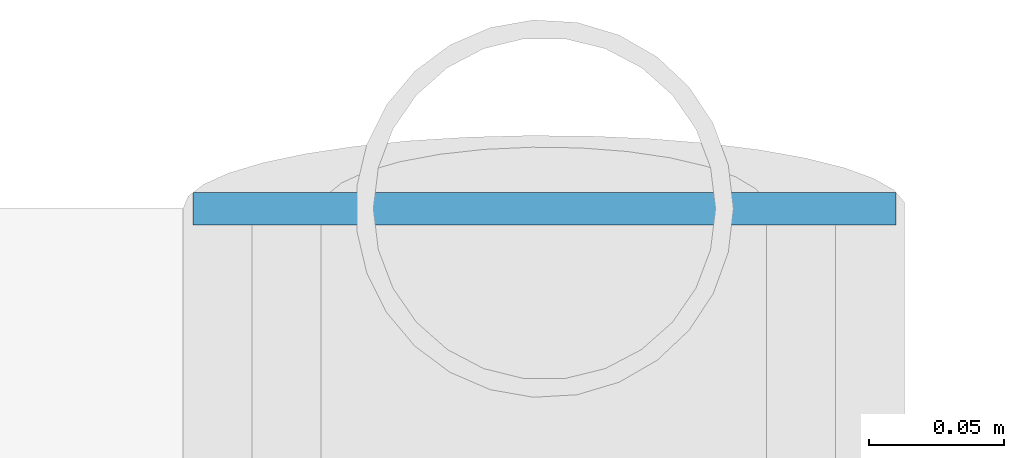
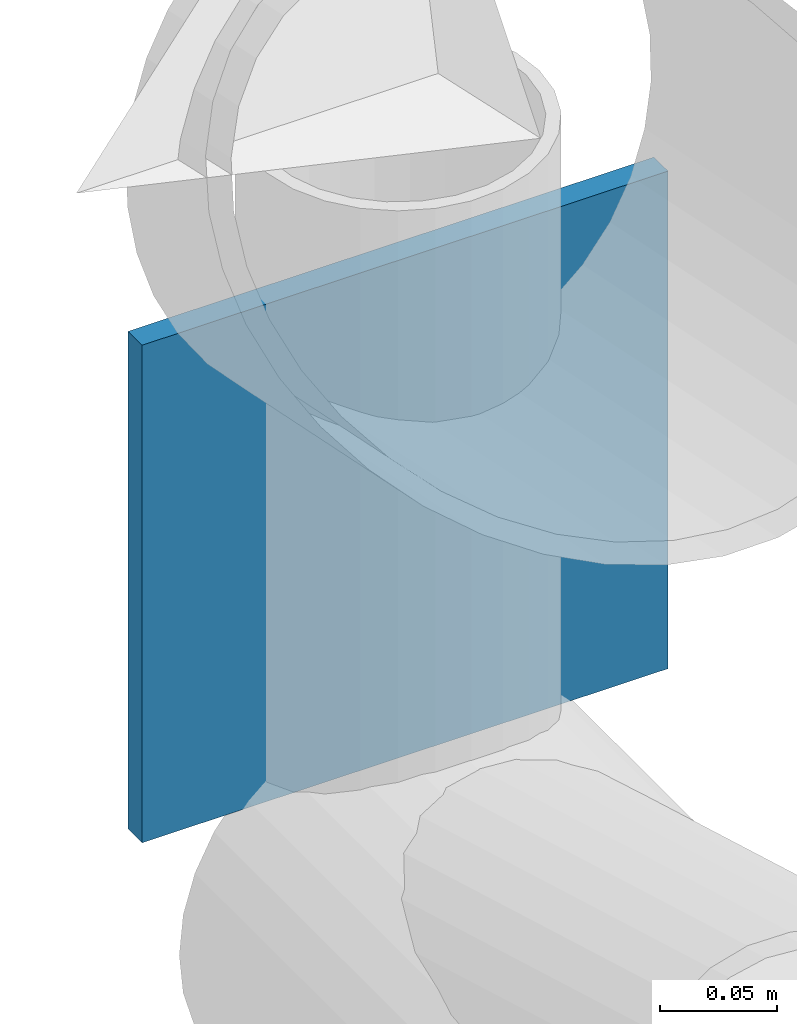
# One storey, part 192 of 194: 1 plate.
"""IFC4 building model written with IfcOpenShell, lengths in metres."""

from ifc_helpers import new_model, si_unit, direction, frame, origin, origin_2d, place, context, subcontext, project, spatial, rectangle, extrude, material, layer, layer_set, type_object, element, save


model = new_model("IFC4")

# Units and contexts
model_context = context("Model", 3, precision=1e-05, world=origin(), true_north=direction((0.0, 1.0)))
body_context = subcontext(model_context, "Body", "Model", "MODEL_VIEW")
ifc_project = project(units=[si_unit("LENGTHUNIT", "METRE"), si_unit("AREAUNIT", "SQUARE_METRE"), si_unit("VOLUMEUNIT", "CUBIC_METRE"), si_unit("PLANEANGLEUNIT", "RADIAN"), si_unit("MASSUNIT", "GRAM", prefix="KILO")], contexts=[model_context])

# Site, building, storey
site_placement = place(None, origin())
site = spatial("IfcSite", under=ifc_project, at=site_placement, CompositionType="ELEMENT")
building_placement = place(site_placement, origin())
building = spatial("IfcBuilding", under=site, at=building_placement, Name="Kazenagashi Tramway Depot", CompositionType="ELEMENT")
storey_placement = place(building_placement, frame((0.0, 0.0, 23.7)))
storey = spatial("IfcBuildingStorey", under=building, at=storey_placement, Name="ROOF", CompositionType="ELEMENT", Elevation=23.7)

# Plate
ifc_material = material(Name="Weathering Steel SMA490W", Category="steel")
ifc_layer = layer(ifc_material, 0.012)
ifc_layer_set = layer_set([ifc_layer], Name="Weathering Steel SMA490W")
plate_type = type_object("IfcPlateType", Name="EC-04", PredefinedType="USERDEFINED", material=ifc_layer_set)
plate_placement = place(storey_placement, frame((196.0, 130.0, -14.03), z_axis=(0.0, 0.0, 1.0), x_axis=(1.0, 0.0, 0.0)))
element("IfcPlate", 1, at=plate_placement, inside=storey, type_object=plate_type, Name="Structural Node Plate EC-04 PLT-0076", ObjectType="END CAP PLATE", PredefinedType="USERDEFINED", context=body_context, shape_type="SweptSolid", body=[
    extrude(rectangle(XDim=0.26, YDim=0.012, at=origin_2d()), origin(), (0.0, 0.0, 1.0), 0.26),
])

save(model, "model.ifc")
